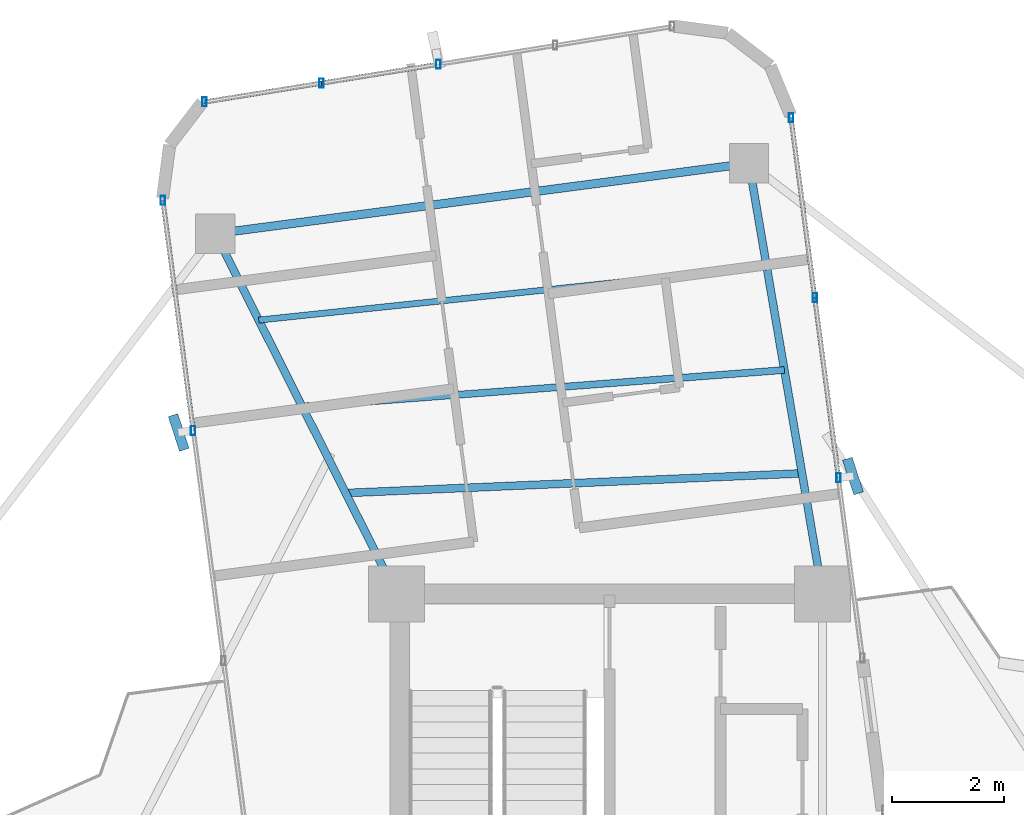
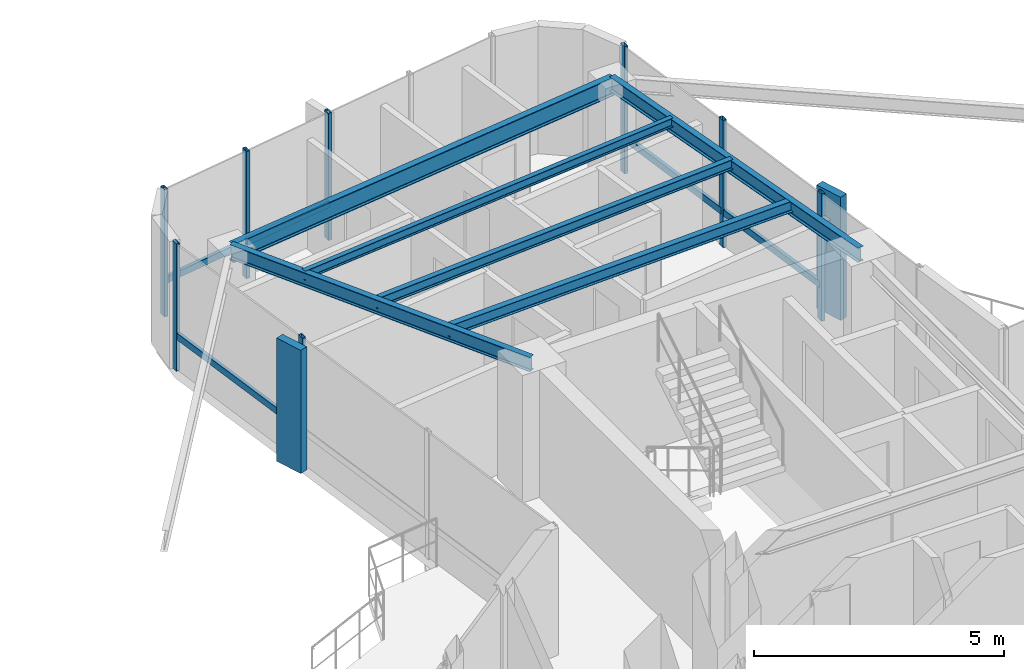
# One storey, part 13 of 22: 15 members, 6 beams, 3 elements without a shape of their own.
"""IFC4 building model written with IfcOpenShell, lengths in metres."""

from ifc_helpers import new_model, si_unit, direction, frame, origin, origin_2d, place, context, subcontext, project, spatial, rectangle, hollow_rectangle, i_section, extrude, source, transform, mapped, material, material_profile, profile_set, type_object, element, aggregate, save


model = new_model("IFC4")

# Units and contexts
model_context = context("Model", 3, precision=1e-05, world=origin(), true_north=direction((0.0, 1.0)))
body_context = subcontext(model_context, "Body", "Model", "MODEL_VIEW")
ifc_project = project(units=[si_unit("LENGTHUNIT", "METRE"), si_unit("AREAUNIT", "SQUARE_METRE"), si_unit("VOLUMEUNIT", "CUBIC_METRE"), si_unit("PLANEANGLEUNIT", "RADIAN"), si_unit("MASSUNIT", "GRAM", prefix="KILO")], contexts=[model_context])

# Site, building, storey
site_placement = place(None, origin())
site = spatial("IfcSite", under=ifc_project, at=site_placement, CompositionType="ELEMENT")
building_placement = place(site_placement, origin())
building = spatial("IfcBuilding", under=site, at=building_placement, Name="Sahyath Konkavel Grand Hotel", CompositionType="ELEMENT")
storey_placement = place(building_placement, frame((0.0, 0.0, 206.5)))
storey = spatial("IfcBuildingStorey", under=building, at=storey_placement, Name="L57", CompositionType="ELEMENT", Elevation=206.5)

# Beams
ifc_material_1 = material(Name="Steel E350", Category="steel")
ifc_material_profile_1 = material_profile(ifc_material_1, i_section(OverallWidth=0.139892578125, OverallDepth=0.35009765625, WebThickness=0.008056640625, FlangeThickness=0.01416015625, FilletRadius=0.013916015625, at=origin_2d()), Name="ISMB 350")
ifc_profile_set_1 = profile_set([ifc_material_profile_1], Name="Steel E350")
beam_type_1 = type_object("IfcBeamType", Name="BM-ISMB350", PredefinedType="BEAM", material=ifc_profile_set_1)
shared_shape_1 = source(origin(), body_context, "Body", "SweptSolid", [
    extrude(i_section(OverallWidth=0.139892578125, OverallDepth=0.35009765625, WebThickness=0.008056640625, FlangeThickness=0.01416015625, FilletRadius=0.013916015625, at=origin_2d()), origin(), (0.0, 0.0, 1.0), 7.7890625),
])
beam_1_placement = place(storey_placement, frame((3.800048828125, 10.199951171875, 2.93505859375), z_axis=(-0.168473997649, 0.985706098244, 0.0), x_axis=(-0.985706098244, -0.168473997649, 0.0)))
element("IfcBeam", 1, at=beam_1_placement, inside=storey, type_object=beam_type_1, Name="L57 Cruciform Radial Girder NA", PredefinedType="BEAM", context=body_context, shape_type="MappedRepresentation", body=[
    mapped(shared_shape_1, transform((0.0, 0.0, 0.0), scale=1.0)),
])
shared_shape_2 = source(origin(), body_context, "Body", "SweptSolid", [
    extrude(i_section(OverallWidth=0.139892578125, OverallDepth=0.35009765625, WebThickness=0.008056640625, FlangeThickness=0.01416015625, FilletRadius=0.013916015625, at=origin_2d()), origin(), (0.0, 0.0, 1.0), 7.19091796875),
])
beam_2_placement = place(storey_placement, frame((-3.800048828125, 10.199951171875, 2.93505859375), z_axis=(-0.4491817134, 0.893440422383, 0.0), x_axis=(-0.893440422383, -0.4491817134, 0.0)))
element("IfcBeam", 2, at=beam_2_placement, inside=storey, type_object=beam_type_1, Name="L57 Cruciform Radial Girder NB", PredefinedType="BEAM", context=body_context, shape_type="MappedRepresentation", body=[
    mapped(shared_shape_2, transform((0.0, 0.0, 0.0), scale=1.0)),
])
ifc_material_profile_2 = material_profile(ifc_material_1, i_section(OverallWidth=0.14990234375, OverallDepth=0.449951171875, WebThickness=0.009521484375, FlangeThickness=0.017333984375, FilletRadius=0.014892578125, at=origin_2d()), Name="ISMB 450")
ifc_profile_set_2 = profile_set([ifc_material_profile_2], Name="Steel E350")
beam_type_2 = type_object("IfcBeamType", Name="BM-ISMB450", PredefinedType="BEAM", material=ifc_profile_set_2)
shared_shape_3 = source(origin(), body_context, "Body", "SweptSolid", [
    extrude(i_section(OverallWidth=0.14990234375, OverallDepth=0.449951171875, WebThickness=0.009521484375, FlangeThickness=0.017333984375, FilletRadius=0.014892578125, at=origin_2d()), origin(), (0.0, 0.0, 1.0), 9.599853515625),
])
beam_3_placement = place(storey_placement, frame((2.48779296875, 17.877685546875, 2.885009765625), z_axis=(-0.991443125639, -0.130539375757, 0.0), x_axis=(0.130539375757, -0.991443125639, 0.0)))
element("IfcBeam", 3, at=beam_3_placement, inside=storey, type_object=beam_type_2, Name="L57 Wing Tip Edge Beam N", PredefinedType="BEAM", context=body_context, shape_type="MappedRepresentation", body=[
    mapped(shared_shape_3, transform((0.0, 0.0, 0.0), scale=1.0)),
])
ifc_material_profile_3 = material_profile(ifc_material_1, i_section(OverallWidth=0.139892578125, OverallDepth=0.27490234375, WebThickness=0.00634765625, FlangeThickness=0.0087890625, FilletRadius=0.012939453125, at=origin_2d()), Name="ISLB 275")
ifc_profile_set_3 = profile_set([ifc_material_profile_3], Name="Steel E350")
beam_type_3 = type_object("IfcBeamType", Name="BM-ISLB275", PredefinedType="BEAM", material=ifc_profile_set_3)
shared_shape_4 = source(origin(), body_context, "Body", "SweptSolid", [
    extrude(i_section(OverallWidth=0.139892578125, OverallDepth=0.27490234375, WebThickness=0.00634765625, FlangeThickness=0.0087890625, FilletRadius=0.012939453125, at=origin_2d()), origin(), (0.0, 0.0, 1.0), 8.14453125),
])
beam_4_placement = place(storey_placement, frame((3.4326171875, 12.349853515625, 2.972412109375), z_axis=(-0.999070525707, -0.043105506195, 0.0), x_axis=(0.043105506195, -0.999070525707, 0.0)))
element("IfcBeam", 4, at=beam_4_placement, inside=storey, type_object=beam_type_3, Name="L57 Secondary Floor Beam N-1", PredefinedType="BEAM", context=body_context, shape_type="MappedRepresentation", body=[
    mapped(shared_shape_4, transform((0.0, 0.0, 0.0), scale=1.0)),
])
ifc_material_profile_4 = material_profile(ifc_material_1, i_section(OverallWidth=0.125, OverallDepth=0.25, WebThickness=0.0068359375, FlangeThickness=0.012451171875, FilletRadius=0.012939453125, at=origin_2d()), Name="ISMB 250")
ifc_profile_set_4 = profile_set([ifc_material_profile_4], Name="Steel E350")
beam_type_4 = type_object("IfcBeamType", Name="BM-ISMB250", PredefinedType="BEAM", material=ifc_profile_set_4)
shared_shape_5 = source(origin(), body_context, "Body", "SweptSolid", [
    extrude(i_section(OverallWidth=0.125, OverallDepth=0.25, WebThickness=0.0068359375, FlangeThickness=0.012451171875, FilletRadius=0.012939453125, at=origin_2d()), origin(), (0.0, 0.0, 1.0), 8.6220703125),
])
beam_5_placement = place(storey_placement, frame((3.11767578125, 14.1923828125, 2.985107421875), z_axis=(-0.997140134449, -0.075574812405, 0.0), x_axis=(0.075574812405, -0.997140134449, 0.0)))
element("IfcBeam", 5, at=beam_5_placement, inside=storey, type_object=beam_type_4, Name="L57 Secondary Floor Beam N-2", PredefinedType="BEAM", context=body_context, shape_type="MappedRepresentation", body=[
    mapped(shared_shape_5, transform((0.0, 0.0, 0.0), scale=1.0)),
])
ifc_material_profile_5 = material_profile(ifc_material_1, i_section(OverallWidth=0.110107421875, OverallDepth=0.22509765625, WebThickness=0.006591796875, FlangeThickness=0.01171875, FilletRadius=0.011962890625, at=origin_2d()), Name="ISMB 225")
ifc_profile_set_5 = profile_set([ifc_material_profile_5], Name="Steel E350")
beam_type_5 = type_object("IfcBeamType", Name="BM-ISMB225", PredefinedType="BEAM", material=ifc_profile_set_5)
shared_shape_6 = source(origin(), body_context, "Body", "SweptSolid", [
    extrude(i_section(OverallWidth=0.110107421875, OverallDepth=0.22509765625, WebThickness=0.006591796875, FlangeThickness=0.01171875, FilletRadius=0.011962890625, at=origin_2d()), origin(), (0.0, 0.0, 1.0), 9.107666015625),
])
beam_6_placement = place(storey_placement, frame((2.802734375, 16.03515625, 2.99755859375), z_axis=(-0.994517344132, -0.10457175632, 0.0), x_axis=(0.10457175632, -0.994517344132, 0.0)))
element("IfcBeam", 6, at=beam_6_placement, inside=storey, type_object=beam_type_5, Name="L57 Secondary Floor Beam N-3", PredefinedType="BEAM", context=body_context, shape_type="MappedRepresentation", body=[
    mapped(shared_shape_6, transform((0.0, 0.0, 0.0), scale=1.0)),
])

# Curtain wall, member
ifc_material_2 = material(Name="Anodised Bronze Aluminium & Low-E Glazing", Category="aluminium")
curtain_wall_type = type_object("IfcCurtainWallType", Name="CW-ZONE4", PredefinedType="NOTDEFINED", material=ifc_material_2)
curtain_wall_1_placement = place(storey_placement, origin())
curtain_wall_1 = element("IfcCurtainWall", 7, at=curtain_wall_1_placement, inside=storey, type_object=curtain_wall_type, Name="L57 Unitised Curtain Wall F8", PredefinedType="NOTDEFINED")
ifc_material_3 = material(Name="Warm Buff Sandstone Cladding on Concrete C50/60", Category="masonry")
ifc_material_profile_6 = material_profile(ifc_material_3, rectangle(XDim=0.179931640625, YDim=0.64990234375, at=origin_2d()), Name="FIN 180x650")
ifc_profile_set_6 = profile_set([ifc_material_profile_6], Name="Warm Buff Sandstone Cladding on Concrete C50/60")
member_type_1 = type_object("IfcMemberType", Name="FIN-SANDSTONE-650", PredefinedType="MULLION", material=ifc_profile_set_6)
shared_shape_7 = source(origin(), body_context, "Body", "SweptSolid", [
    extrude(rectangle(XDim=0.179931640625, YDim=0.64990234375, at=origin_2d()), origin(), (0.0, 0.0, 1.0), 3.010009765625),
])
member_1_placement = place(storey_placement, frame((4.341552734375, 12.302001953125, 0.050048828125), z_axis=(0.0, 0.0, 1.0), x_axis=(0.951110435449, 0.308850998993, 0.0)))
member_1 = element("IfcMember", 8, at=member_1_placement, type_object=member_type_1, Name="L57 Sandstone Vertical Solar Fin FIN F8-1", PredefinedType="MULLION", context=body_context, shape_type="MappedRepresentation", body=[
    mapped(shared_shape_7, transform((0.0, 0.0, 0.0), scale=1.0)),
])

curtain_wall_2_placement = place(storey_placement, origin())
curtain_wall_2 = element("IfcCurtainWall", 9, at=curtain_wall_2_placement, inside=storey, type_object=curtain_wall_type, Name="L57 Unitised Curtain Wall F15", PredefinedType="NOTDEFINED")
member_2_placement = place(storey_placement, frame((-7.682861328125, 13.0791015625, 0.050048828125), z_axis=(0.0, 0.0, 1.0), x_axis=(0.951110435449, 0.308850998993, 0.0)))
member_2 = element("IfcMember", 10, at=member_2_placement, type_object=member_type_1, Name="L57 Sandstone Vertical Solar Fin FIN F15-1", PredefinedType="MULLION", context=body_context, shape_type="MappedRepresentation", body=[
    mapped(shared_shape_7, transform((0.0, 0.0, 0.0), scale=1.0)),
])

# Member
ifc_material_4 = material(Name="Anodised Bronze Aluminium", Category="aluminium")
ifc_material_profile_7 = material_profile(ifc_material_4, hollow_rectangle(XDim=0.080078125, YDim=0.159912109375, WallThickness=0.006103515625, at=origin_2d()), Name="RHS 160x80x6")
ifc_profile_set_7 = profile_set([ifc_material_profile_7], Name="Anodised Bronze Aluminium")
member_type_2 = type_object("IfcMemberType", Name="CW-MUL-160", PredefinedType="MULLION", material=ifc_profile_set_7)
shared_shape_8 = source(origin(), body_context, "Body", "SweptSolid", [
    extrude(hollow_rectangle(XDim=0.080078125, YDim=0.159912109375, WallThickness=0.006103515625, at=origin_2d()), origin(), (0.0, 0.0, 1.0), 3.110107421875),
])
member_3_placement = place(storey_placement, frame((4.083740234375, 12.26806640625, 0.0), z_axis=(0.0, 0.0, 1.0), x_axis=(1.0, 0.0, 0.0)))
member_3 = element("IfcMember", 11, at=member_3_placement, type_object=member_type_2, Name="L57 Curtain Wall Mullion F8-1", PredefinedType="MULLION", context=body_context, shape_type="MappedRepresentation", body=[
    mapped(shared_shape_8, transform((0.0, 0.0, 0.0), scale=1.0)),
])

member_4_placement = place(storey_placement, frame((3.66064453125, 15.480224609375, 0.0), z_axis=(0.0, 0.0, 1.0), x_axis=(1.0, 0.0, 0.0)))
member_4 = element("IfcMember", 12, at=member_4_placement, type_object=member_type_2, Name="L57 Curtain Wall Mullion F8-2", PredefinedType="MULLION", context=body_context, shape_type="MappedRepresentation", body=[
    mapped(shared_shape_8, transform((0.0, 0.0, 0.0), scale=1.0)),
])

member_5_placement = place(storey_placement, frame((3.23779296875, 18.6923828125, 0.0), z_axis=(0.0, 0.0, 1.0), x_axis=(1.0, 0.0, 0.0)))
member_5 = element("IfcMember", 13, at=member_5_placement, type_object=member_type_2, Name="L57 Curtain Wall Mullion F8-3", PredefinedType="MULLION", context=body_context, shape_type="MappedRepresentation", body=[
    mapped(shared_shape_8, transform((0.0, 0.0, 0.0), scale=1.0)),
])

# Curtain wall, members
curtain_wall_3_placement = place(storey_placement, origin())
curtain_wall_3 = element("IfcCurtainWall", 14, at=curtain_wall_3_placement, inside=storey, type_object=curtain_wall_type, Name="L57 Unitised Curtain Wall F12", PredefinedType="NOTDEFINED")
member_6_placement = place(storey_placement, frame((-3.052734375, 19.6455078125, 0.0), z_axis=(0.0, 0.0, 1.0), x_axis=(1.0, 0.0, 0.0)))
member_6 = element("IfcMember", 15, at=member_6_placement, type_object=member_type_2, Name="L57 Curtain Wall Mullion F12-2", PredefinedType="MULLION", context=body_context, shape_type="MappedRepresentation", body=[
    mapped(shared_shape_8, transform((0.0, 0.0, 0.0), scale=1.0)),
])
member_7_placement = place(storey_placement, frame((-5.137939453125, 19.30908203125, 0.0), z_axis=(0.0, 0.0, 1.0), x_axis=(1.0, 0.0, 0.0)))
member_7 = element("IfcMember", 16, at=member_7_placement, type_object=member_type_2, Name="L57 Curtain Wall Mullion F12-3", PredefinedType="MULLION", context=body_context, shape_type="MappedRepresentation", body=[
    mapped(shared_shape_8, transform((0.0, 0.0, 0.0), scale=1.0)),
])
member_8_placement = place(storey_placement, frame((-7.22314453125, 18.972900390625, 0.0), z_axis=(0.0, 0.0, 1.0), x_axis=(1.0, 0.0, 0.0)))
member_8 = element("IfcMember", 17, at=member_8_placement, type_object=member_type_2, Name="L57 Curtain Wall Mullion F12-4", PredefinedType="MULLION", context=body_context, shape_type="MappedRepresentation", body=[
    mapped(shared_shape_8, transform((0.0, 0.0, 0.0), scale=1.0)),
])

# Member
member_9_placement = place(storey_placement, frame((-7.965576171875, 17.217529296875, 0.0), z_axis=(0.0, 0.0, 1.0), x_axis=(1.0, 0.0, 0.0)))
member_9 = element("IfcMember", 18, at=member_9_placement, type_object=member_type_2, Name="L57 Curtain Wall Mullion F15-0", PredefinedType="MULLION", context=body_context, shape_type="MappedRepresentation", body=[
    mapped(shared_shape_8, transform((0.0, 0.0, 0.0), scale=1.0)),
])

member_10_placement = place(storey_placement, frame((-7.425048828125, 13.113037109375, 0.0), z_axis=(0.0, 0.0, 1.0), x_axis=(1.0, 0.0, 0.0)))
member_10 = element("IfcMember", 19, at=member_10_placement, type_object=member_type_2, Name="L57 Curtain Wall Mullion F15-1", PredefinedType="MULLION", context=body_context, shape_type="MappedRepresentation", body=[
    mapped(shared_shape_8, transform((0.0, 0.0, 0.0), scale=1.0)),
])

ifc_material_profile_8 = material_profile(ifc_material_4, hollow_rectangle(XDim=0.080078125, YDim=0.159912109375, WallThickness=0.006103515625, at=origin_2d()), Name="RHS 160x80x6")
ifc_profile_set_8 = profile_set([ifc_material_profile_8], Name="Anodised Bronze Aluminium")
member_type_3 = type_object("IfcMemberType", Name="CW-TRN-160", PredefinedType="USERDEFINED", material=ifc_profile_set_8)
shared_shape_9 = source(origin(), body_context, "Body", "SweptSolid", [
    extrude(hollow_rectangle(XDim=0.080078125, YDim=0.159912109375, WallThickness=0.006103515625, at=origin_2d()), origin(), (0.0, 0.0, 1.0), 3.239990234375),
])
member_11_placement = place(storey_placement, frame((4.083740234375, 12.26806640625, 0.85009765625), z_axis=(-0.130589010341, 0.991436589187, 0.0), x_axis=(-0.991436589187, -0.130589010341, 0.0)))
member_11 = element("IfcMember", 20, at=member_11_placement, type_object=member_type_3, Name="L57 Curtain Wall Transom F8-1-spandrel", ObjectType="TRANSOM", PredefinedType="USERDEFINED", context=body_context, shape_type="MappedRepresentation", body=[
    mapped(shared_shape_9, transform((0.0, 0.0, 0.0), scale=1.0)),
])

member_12_placement = place(storey_placement, frame((3.66064453125, 15.480224609375, 0.85009765625), z_axis=(-0.130514939997, 0.991446342692, 0.0), x_axis=(-0.991446342692, -0.130514939997, 0.0)))
member_12 = element("IfcMember", 21, at=member_12_placement, type_object=member_type_3, Name="L57 Curtain Wall Transom F8-2-spandrel", ObjectType="TRANSOM", PredefinedType="USERDEFINED", context=body_context, shape_type="MappedRepresentation", body=[
    mapped(shared_shape_9, transform((0.0, 0.0, 0.0), scale=1.0)),
])

aggregate(curtain_wall_1, [member_3, member_1, member_4, member_5, member_11, member_12])

shared_shape_10 = source(origin(), body_context, "Body", "SweptSolid", [
    extrude(hollow_rectangle(XDim=0.080078125, YDim=0.159912109375, WallThickness=0.006103515625, at=origin_2d()), origin(), (0.0, 0.0, 1.0), 2.112060546875),
])
member_13_placement = place(storey_placement, frame((-3.052734375, 19.6455078125, 0.85009765625), z_axis=(-0.987233499712, -0.159279681841, 0.0), x_axis=(0.159279681841, -0.987233499712, 0.0)))
member_13 = element("IfcMember", 22, at=member_13_placement, type_object=member_type_3, Name="L57 Curtain Wall Transom F12-2-spandrel", ObjectType="TRANSOM", PredefinedType="USERDEFINED", context=body_context, shape_type="MappedRepresentation", body=[
    mapped(shared_shape_10, transform((0.0, 0.0, 0.0), scale=1.0)),
])

member_14_placement = place(storey_placement, frame((-5.137939453125, 19.30908203125, 0.85009765625), z_axis=(-0.98725166933, -0.159167023612, 0.0), x_axis=(0.159167023612, -0.98725166933, 0.0)))
member_14 = element("IfcMember", 23, at=member_14_placement, type_object=member_type_3, Name="L57 Curtain Wall Transom F12-3-spandrel", ObjectType="TRANSOM", PredefinedType="USERDEFINED", context=body_context, shape_type="MappedRepresentation", body=[
    mapped(shared_shape_10, transform((0.0, 0.0, 0.0), scale=1.0)),
])

aggregate(curtain_wall_3, [member_6, member_7, member_8, member_13, member_14])

shared_shape_11 = source(origin(), body_context, "Body", "SweptSolid", [
    extrude(hollow_rectangle(XDim=0.080078125, YDim=0.159912109375, WallThickness=0.006103515625, at=origin_2d()), origin(), (0.0, 0.0, 1.0), 4.139892578125),
])
member_15_placement = place(storey_placement, frame((-7.965576171875, 17.217529296875, 0.85009765625), z_axis=(0.130564346904, -0.991439837467, 0.0), x_axis=(0.991439837467, 0.130564346904, 0.0)))
member_15 = element("IfcMember", 24, at=member_15_placement, type_object=member_type_3, Name="L57 Curtain Wall Transom F15-0-spandrel", ObjectType="TRANSOM", PredefinedType="USERDEFINED", context=body_context, shape_type="MappedRepresentation", body=[
    mapped(shared_shape_11, transform((0.0, 0.0, 0.0), scale=1.0)),
])

aggregate(curtain_wall_2, [member_9, member_10, member_2, member_15])

save(model, "model.ifc")
